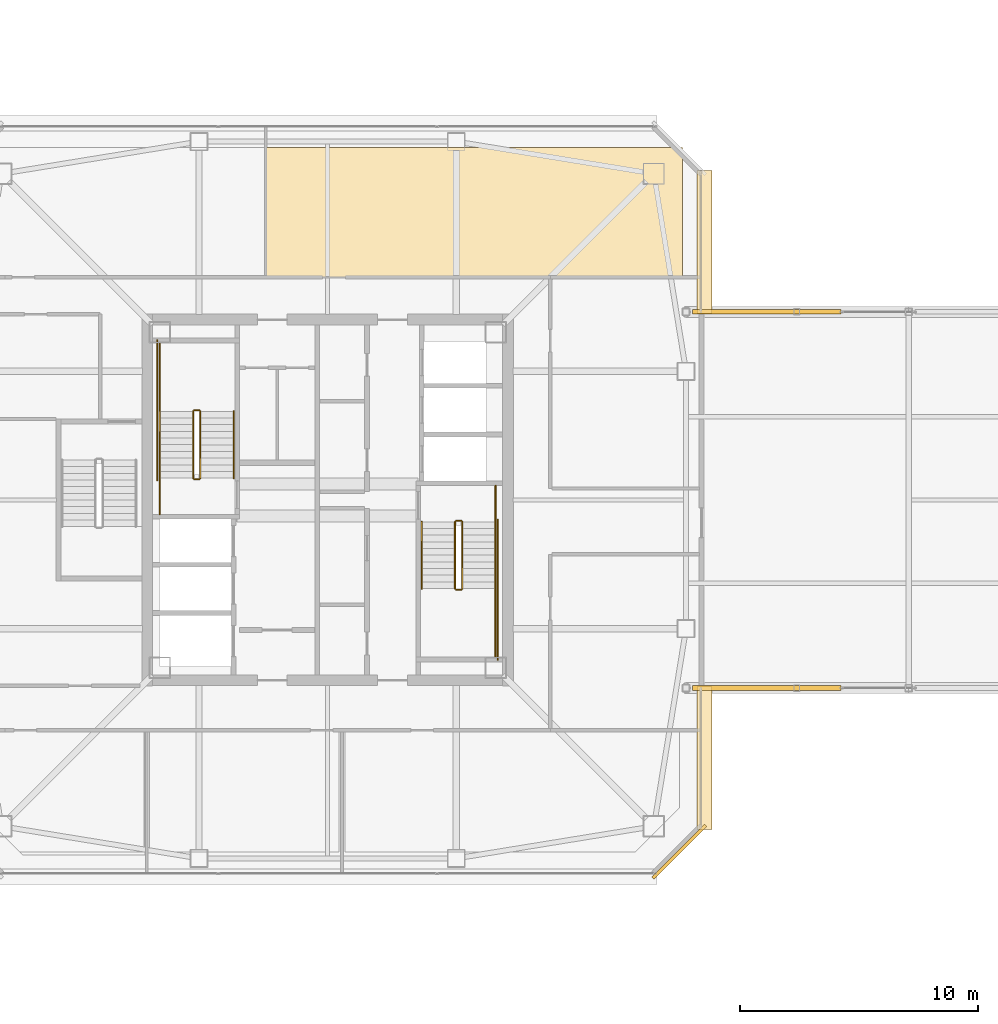
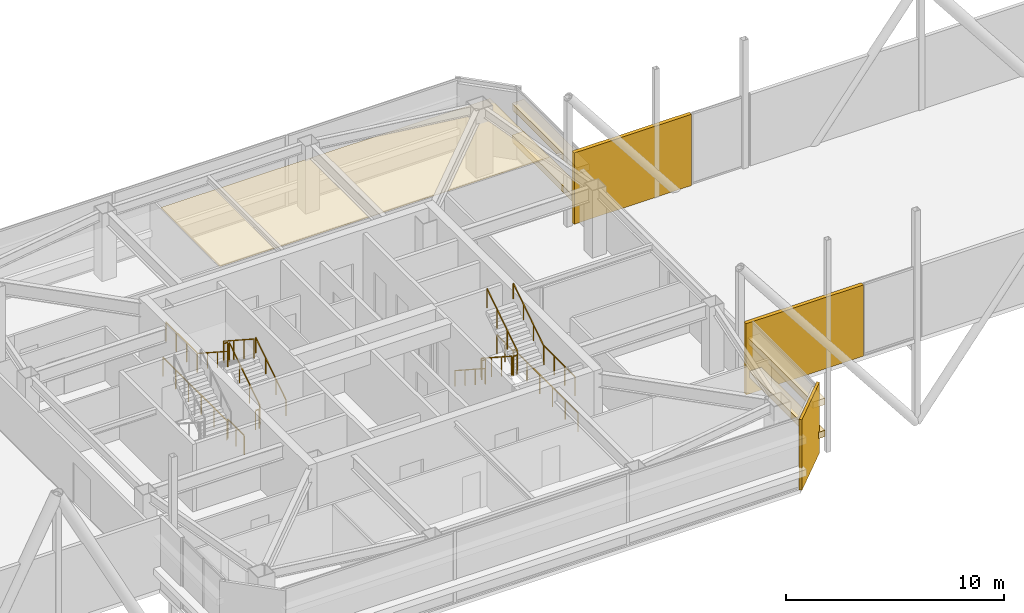
# One storey, part 49 of 53: 18 railings, 8 coverings.
"""IFC4 building model written with IfcOpenShell, lengths in metres."""

import ifcopenshell
import ifcopenshell.guid

model = None  # the IFC model being written
_history = None  # IfcOwnerHistory: only IFC2X3 demands one
_inside = {}  # id of a spatial element -> (the spatial element, [elements in it])
_under = {}  # id of a project, library or spatial element -> (it, [spatial elements below it])
_declared = {}  # id of a project -> (the project, [libraries it declares])
_typed = {}  # id of a type object -> (the type object, [elements of that type])
_made_of = {}  # id of a material, layer set ... -> (it, [elements and type objects made of it])


def new_model(schema):
    """Start an empty IFC model of exactly this schema.

    Asked for "IFC4X3", IfcOpenShell would pick the latest addendum, in which some entities
    have other attributes; the version numbers below select the first issue.
    IFC2X3 requires an IfcOwnerHistory on every rooted entity: one is made here for all.
    """
    global model, _history
    if schema == "IFC4X3":
        model = ifcopenshell.file(schema_version=(4, 3, 0, 0))
    else:
        model = ifcopenshell.file(schema=schema)
    _inside.clear()
    _under.clear()
    _declared.clear()
    _typed.clear()
    _made_of.clear()
    _history = None
    if model.schema == "IFC2X3":
        org = make("IfcOrganization", Name="unknown")
        user = make(
            "IfcPersonAndOrganization",
            ThePerson=make("IfcPerson", FamilyName="unknown"),
            TheOrganization=org,
        )
        app = make(
            "IfcApplication",
            ApplicationDeveloper=org,
            Version="unknown",
            ApplicationFullName="unknown",
            ApplicationIdentifier="unknown",
        )
        _history = make(
            "IfcOwnerHistory",
            OwningUser=user,
            OwningApplication=app,
            ChangeAction="ADDED",
            CreationDate=0,
        )
    return model


def make(cls, **values):
    """One entity of the class cls with the attributes given. An attribute that is None is left unset."""
    return model.create_entity(
        cls, **{name: value for name, value in values.items() if value is not None}
    )


def rooted(cls, **values):
    """An entity with a GlobalId (a new one), such as an element, a storey or a relation."""
    return make(cls, GlobalId=ifcopenshell.guid.new(), OwnerHistory=_history, **values)


def si_unit(unit_type, name, prefix=None):
    """IfcSIUnit, for example si_unit("LENGTHUNIT", "METRE", prefix="MILLI")."""
    return make("IfcSIUnit", UnitType=unit_type, Prefix=prefix, Name=name)


def assignment(units):
    """IfcUnitAssignment: the units of a project."""
    return None if units is None else make("IfcUnitAssignment", Units=units)


def point(xyz):
    """IfcCartesianPoint."""
    return None if xyz is None else make("IfcCartesianPoint", Coordinates=xyz)


def direction(xyz):
    """IfcDirection."""
    return None if xyz is None else make("IfcDirection", DirectionRatios=xyz)


def frame(location, z_axis=None, x_axis=None):
    """IfcAxis2Placement3D, a coordinate frame: its origin and axes. An axis left out is left unset."""
    return make(
        "IfcAxis2Placement3D",
        Location=point(location),
        Axis=direction(z_axis),
        RefDirection=direction(x_axis),
    )


def frame_2d(location, x_axis=None):
    """IfcAxis2Placement2D, a coordinate frame in the plane: its origin and x axis."""
    return make(
        "IfcAxis2Placement2D", Location=point(location), RefDirection=direction(x_axis)
    )


def origin():
    """The frame at (0, 0, 0) with its axes left unset."""
    return frame((0.0, 0.0, 0.0))


def origin_2d():
    """The frame at (0, 0) in the plane with its x axis left unset."""
    return frame_2d((0.0, 0.0))


def place(relative_to, where):
    """IfcLocalPlacement: puts the frame where relative to a parent placement (None: the world)."""
    return make(
        "IfcLocalPlacement", PlacementRelTo=relative_to, RelativePlacement=where
    )


def context(
    kind, dimensions, precision=None, world=None, true_north=None, identifier=None
):
    """IfcGeometricRepresentationContext, for example the 3D "Model" context."""
    return make(
        "IfcGeometricRepresentationContext",
        ContextIdentifier=identifier,
        ContextType=kind,
        CoordinateSpaceDimension=dimensions,
        Precision=precision,
        WorldCoordinateSystem=world,
        TrueNorth=true_north,
    )


def subcontext(parent, identifier, kind, view, scale=None):
    """IfcGeometricRepresentationSubContext, for example "Body" below "Model"."""
    return make(
        "IfcGeometricRepresentationSubContext",
        ContextIdentifier=identifier,
        ContextType=kind,
        ParentContext=parent,
        TargetScale=scale,
        TargetView=view,
    )


def project(units=None, contexts=None):
    """IfcProject with its units and contexts."""
    return rooted(
        "IfcProject",
        Name="project",
        RepresentationContexts=contexts,
        UnitsInContext=assignment(units),
    )


def spatial(cls, under=None, at=None, **own):
    """A site, building, storey or space (cls), placed at a placement, below another one or the project."""
    s = rooted(cls, ObjectPlacement=at, **own)
    if under is not None:
        _under.setdefault(under.id(), (under, []))[1].append(s)
    return s


def polyline(points):
    """IfcPolyline through the points."""
    return make("IfcPolyline", Points=[point(p) for p in points])


def profile(cls, at=None, kind="AREA", **sizes):
    """A parametric profile (cls). Its sizes go by their IFC names, for example OverallWidth=200.0."""
    return make(cls, ProfileType=kind, Position=at, **sizes)


def rectangle(**sizes):
    """IfcRectangleProfileDef."""
    return profile("IfcRectangleProfileDef", **sizes)


def outline(outer, holes=None, kind="AREA"):
    """IfcArbitraryClosedProfileDef: a profile drawn as a closed curve; with holes, ...WithVoids."""
    if holes is None:
        return make("IfcArbitraryClosedProfileDef", ProfileType=kind, OuterCurve=outer)
    return make(
        "IfcArbitraryProfileDefWithVoids",
        ProfileType=kind,
        OuterCurve=outer,
        InnerCurves=holes,
    )


def extrude(swept, where, along, depth):
    """IfcExtrudedAreaSolid: the profile swept, set in the frame where, extruded along a direction by depth."""
    return make(
        "IfcExtrudedAreaSolid",
        SweptArea=swept,
        Position=where,
        ExtrudedDirection=direction(along),
        Depth=depth,
    )


def shape(context_of_items, identifier, shape_type, items):
    """IfcShapeRepresentation: the items that make up one representation, for example the "Body"."""
    return make(
        "IfcShapeRepresentation",
        ContextOfItems=context_of_items,
        RepresentationIdentifier=identifier,
        RepresentationType=shape_type,
        Items=items,
    )


def material(Name=None, Category=None):
    """IfcMaterial."""
    return make("IfcMaterial", Name=Name, Category=Category)


def layer(
    of_material, thickness, ventilated=None, Name=None, Category=None, Priority=None
):
    """IfcMaterialLayer: one layer of a wall or slab, of a material (None: an air gap)."""
    return make(
        "IfcMaterialLayer",
        Material=of_material,
        LayerThickness=thickness,
        IsVentilated=ventilated,
        Name=Name,
        Category=Category,
        Priority=Priority,
    )


def layer_set(layers, Name=None):
    """IfcMaterialLayerSet."""
    return make("IfcMaterialLayerSet", MaterialLayers=layers, LayerSetName=Name)


def made_of(thing, what):
    """Note that an element or type object is made of a material, layer set ...; save() writes the relation."""
    if what is not None:
        _made_of.setdefault(what.id(), (what, []))[1].append(thing)
    return thing


def type_object(cls, material=None, **own):
    """A type object (cls), such as IfcWallType, which elements share."""
    return made_of(rooted(cls, **own), material)


def element(
    cls,
    number,
    at=None,
    inside=None,
    cuts=None,
    type_object=None,
    material=None,
    context=None,
    identifier="Body",
    shape_type=None,
    held_by="IfcProductDefinitionShape",
    body=None,
    shapes=None,
    **own,
):
    """One element of the class cls, such as IfcWall. Its Tag is "e" and its number.

    at: its placement. inside: the storey or other place that contains it. cuts: it is an
    opening in that element (IfcRelVoidsElement). A single representation is given by context,
    identifier, shape_type and body (its items); several are given by shapes. held_by: the class
    of the entity that holds the representations. save() writes the other relations.
    """
    e = rooted(cls, Tag="e%d" % number, ObjectPlacement=at, **own)
    if body is not None:
        shapes = [shape(context, identifier, shape_type, body)]
    if shapes is not None:
        e.Representation = make(held_by, Representations=shapes)
    if inside is not None:
        _inside.setdefault(inside.id(), (inside, []))[1].append(e)
    if cuts is not None:
        rooted(
            "IfcRelVoidsElement", RelatingBuildingElement=cuts, RelatedOpeningElement=e
        )
    if type_object is not None:
        _typed.setdefault(type_object.id(), (type_object, []))[1].append(e)
    return made_of(e, material)


def aggregate(whole, parts):
    """IfcRelAggregates: a whole, such as a stair, and the parts it consists of."""
    return rooted("IfcRelAggregates", RelatingObject=whole, RelatedObjects=parts)


def save(model, path):
    """Write the relations noted so far, then the file.

    IfcRelAggregates (storeys below a building ...), IfcRelContainedInSpatialStructure (elements
    in a storey), IfcRelDefinesByType, IfcRelAssociatesMaterial and IfcRelDeclares: one each for
    every whole, place, type object, material and project.
    """
    for whole, parts in _under.values():
        aggregate(whole, parts)
    for where, things in _inside.values():
        rooted(
            "IfcRelContainedInSpatialStructure",
            RelatedElements=things,
            RelatingStructure=where,
        )
    for kind, things in _typed.values():
        rooted("IfcRelDefinesByType", RelatedObjects=things, RelatingType=kind)
    for what, things in _made_of.values():
        rooted("IfcRelAssociatesMaterial", RelatedObjects=things, RelatingMaterial=what)
    for by, libraries in _declared.values():
        rooted("IfcRelDeclares", RelatingContext=by, RelatedDefinitions=libraries)
    model.write(path)


model = new_model("IFC4")

# Units and contexts
model_context = context("Model", 3, precision=1e-05, world=origin(), true_north=direction((0.0, 1.0)))
body_context = subcontext(model_context, "Body", "Model", "MODEL_VIEW")
ifc_project = project(units=[si_unit("LENGTHUNIT", "METRE"), si_unit("AREAUNIT", "SQUARE_METRE"), si_unit("VOLUMEUNIT", "CUBIC_METRE"), si_unit("PLANEANGLEUNIT", "RADIAN"), si_unit("MASSUNIT", "GRAM", prefix="KILO")], contexts=[model_context])

# Site, building, storey
site_placement = place(None, origin())
site = spatial("IfcSite", under=ifc_project, at=site_placement, CompositionType="ELEMENT")
building_placement = place(site_placement, origin())
building = spatial("IfcBuilding", under=site, at=building_placement, Name="Tashvorn Skyway Center", CompositionType="ELEMENT")
storey_placement = place(building_placement, frame((0.0, 0.0, 255.39990234375)))
storey = spatial("IfcBuildingStorey", under=building, at=storey_placement, Name="L69", CompositionType="ELEMENT", Elevation=255.39990234375)

# Coverings
ifc_material_1 = material(Name="Precast concrete C40/50", Category="concrete")
ifc_layer_1 = layer(ifc_material_1, 0.199951171875)
ifc_layer_set_1 = layer_set([ifc_layer_1], Name="Precast concrete C40/50")
covering_type_1 = type_object("IfcCoveringType", Name="COV-BRACE-CLAD", PredefinedType="CLADDING", material=ifc_layer_set_1)
for number, where, z_axis, x_axis, name in (
    (1, (60.43505859375, 24.10009765625, 0.0), (0.0, 0.0, 1.0), (-1.0, 0.0, 0.0), "Sky-Park L69 Bridge South Curtain Wall Mega-Brace Cladding Band 3"),
    (2, (60.43505859375, 39.89990234375, 0.0), (0.0, 0.0, 1.0), (1.0, 0.0, 0.0), "Sky-Park L69 Bridge North Curtain Wall Mega-Brace Cladding Band 1"),
):
    element("IfcCovering", number, at=place(storey_placement, frame(where, z_axis=z_axis, x_axis=x_axis)), inside=storey, type_object=covering_type_1, Name=name, PredefinedType="CLADDING", context=body_context, shape_type="SweptSolid", body=[
        extrude(rectangle(XDim=6.22998046875, YDim=0.199951171875, at=origin_2d()), origin(), (0.0, 0.0, 1.0), 4.0),
    ])
ifc_material_2 = material(Name="Mineral-fibre acoustic ceiling tile on suspended grid")
ifc_layer_2 = layer(ifc_material_2, 0.02001953125)
ifc_layer_set_2 = layer_set([ifc_layer_2], Name="Mineral-fibre acoustic ceiling tile on suspended grid")
covering_type_2 = type_object("IfcCoveringType", Name="COV-CEIL-20", PredefinedType="CEILING", material=ifc_layer_set_2)
covering_1_placement = place(storey_placement, frame((0.0, 0.0, 2.951171875)))
element("IfcCovering", 3, at=covering_1_placement, inside=storey, type_object=covering_type_2, Name="Tower 1 L69 Open Plan Office Acoustic Ceiling", PredefinedType="CEILING", context=body_context, shape_type="SweptSolid", body=[
    extrude(outline(polyline([(39.39990234375, 41.35009765625), (56.89990234375, 41.35009765625), (56.89990234375, 46.800048828125), (39.39990234375, 46.800048828125), (39.39990234375, 41.35009765625)])), origin(), (0.0, 0.0, 1.0), 0.02001953125),
])
ifc_material_3 = material(Name="Perforated ceramic-coated bronze aluminium solar screen", Category="aluminium")
ifc_layer_3 = layer(ifc_material_3, 0.85009765625)
ifc_layer_set_3 = layer_set([ifc_layer_3], Name="Perforated ceramic-coated bronze aluminium solar screen")
covering_type_3 = type_object("IfcCoveringType", Name="COV-SOLAR-BAND", PredefinedType="CLADDING", material=ifc_layer_set_3)
for number, where, z_axis, x_axis, name in (
    (4, (57.820068359375, 42.840087890625, 0.919921875), (0.0, 0.0, 1.0), (0.0, -1.0, 0.0), "L69 Perforated Ceramic-Metal Solar Screen Louvre Band East 1"),
    (5, (57.820068359375, 42.840087890625, 2.72021484375), (0.0, 0.0, 1.0), (0.0, -1.0, 0.0), "L69 Perforated Ceramic-Metal Solar Screen Louvre Band East 2"),
    (6, (57.820068359375, 21.159912109375, 0.919921875), (0.0, 0.0, 1.0), (0.0, -1.0, 0.0), "L69 Perforated Ceramic-Metal Solar Screen Louvre Band East 1"),
    (7, (57.820068359375, 21.159912109375, 2.72021484375), (0.0, 0.0, 1.0), (0.0, -1.0, 0.0), "L69 Perforated Ceramic-Metal Solar Screen Louvre Band East 2"),
):
    element("IfcCovering", number, at=place(storey_placement, frame(where, z_axis=z_axis, x_axis=x_axis)), inside=storey, type_object=covering_type_3, Name=name, PredefinedType="CLADDING", context=body_context, shape_type="SweptSolid", body=[
        extrude(rectangle(XDim=6.0, YDim=0.639892578125, at=origin_2d()), origin(), (0.0, 0.0, 1.0), 0.360107421875),
    ])
ifc_layer_4 = layer(ifc_material_1, 0.35009765625)
ifc_layer_set_4 = layer_set([ifc_layer_4], Name="Precast concrete C40/50")
covering_type_4 = type_object("IfcCoveringType", Name="COV-STONE-TRIM", PredefinedType="CLADDING", material=ifc_layer_set_4)
covering_2_placement = place(storey_placement, frame((56.77001953125, 17.22998046875, 0.02001953125), z_axis=(0.0, 0.0, 1.0), x_axis=(0.707106781187, 0.707106781187, 0.0)))
element("IfcCovering", 8, at=covering_2_placement, inside=storey, type_object=covering_type_4, Name="Tower 1 L69 SE Mojave Limestone Corner Quoin", PredefinedType="CLADDING", context=body_context, shape_type="SweptSolid", body=[
    extrude(rectangle(XDim=3.1298828125, YDim=0.139892578125, at=origin_2d()), origin(), (0.0, 0.0, 1.0), 3.9599609375),
])

# Railings
ifc_material_4 = material(Name="Brushed stainless steel 316", Category="steel")
railing_type_1 = type_object("IfcRailingType", Name="RAIL-HAND-920", PredefinedType="HANDRAIL", material=ifc_material_4)
railing_1_placement = place(storey_placement, frame((38.050048828125, 32.919921875, 0.181884765625)))
element("IfcRailing", 9, at=railing_1_placement, inside=storey, type_object=railing_type_1, Name="L69 ST-T1-1 stair handrail 1", PredefinedType="HANDRAIL", context=body_context, shape_type="SweptSolid", body=[
    extrude(rectangle(XDim=0.048095703125, YDim=0.048095703125, at=origin_2d()), frame((0.0, 0.0, 0.8759765625), z_axis=(0.0, 0.838705829183, 0.544584733623), x_axis=(-1.0, 0.0, 0.0)), (0.0, 0.0, 1.0), 3.338623046875),
    extrude(rectangle(XDim=0.0419921875, YDim=0.0419921875, at=origin_2d()), origin(), (0.0, 0.0, 1.0), 0.851806640625),
    extrude(rectangle(XDim=0.0419921875, YDim=0.0419921875, at=origin_2d()), frame((0.0, 0.933349609375, 0.60595703125)), (0.0, 0.0, 1.0), 0.851806640625),
    extrude(rectangle(XDim=0.0419921875, YDim=0.0419921875, at=origin_2d()), frame((0.0, 1.86669921875, 1.212158203125)), (0.0, 0.0, 1.0), 0.851806640625),
    extrude(rectangle(XDim=0.0419921875, YDim=0.0419921875, at=origin_2d()), frame((0.0, 2.800048828125, 1.818115234375)), (0.0, 0.0, 1.0), 0.851806640625),
])
for number, where, name in (
    (10, (34.949951171875, 35.719970703125, 2.181884765625), "L69 ST-T1-1 stair handrail 2"),
    (11, (45.949951171875, 31.080078125, 0.181884765625), "L69 ST-T1-2 stair handrail 1"),
):
    element("IfcRailing", number, at=place(storey_placement, frame(where)), inside=storey, type_object=railing_type_1, Name=name, PredefinedType="HANDRAIL", context=body_context, shape_type="SweptSolid", body=[
        extrude(rectangle(XDim=0.048095703125, YDim=0.048095703125, at=origin_2d()), frame((0.0, 0.0, 0.8759765625), z_axis=(0.0, -0.838705829183, 0.544584733623), x_axis=(1.0, 0.0, 0.0)), (0.0, 0.0, 1.0), 3.338623046875),
        extrude(rectangle(XDim=0.0419921875, YDim=0.0419921875, at=origin_2d()), origin(), (0.0, 0.0, 1.0), 0.851806640625),
        extrude(rectangle(XDim=0.0419921875, YDim=0.0419921875, at=origin_2d()), frame((0.0, -0.933349609375, 0.60595703125)), (0.0, 0.0, 1.0), 0.851806640625),
        extrude(rectangle(XDim=0.0419921875, YDim=0.0419921875, at=origin_2d()), frame((0.0, -1.86669921875, 1.212158203125)), (0.0, 0.0, 1.0), 0.851806640625),
        extrude(rectangle(XDim=0.0419921875, YDim=0.0419921875, at=origin_2d()), frame((0.0, -2.800048828125, 1.818115234375)), (0.0, 0.0, 1.0), 0.851806640625),
    ])
railing_2_placement = place(storey_placement, frame((49.050048828125, 28.280029296875, 2.181884765625)))
element("IfcRailing", 12, at=railing_2_placement, inside=storey, type_object=railing_type_1, Name="L69 ST-T1-2 stair handrail 2", PredefinedType="HANDRAIL", context=body_context, shape_type="SweptSolid", body=[
    extrude(rectangle(XDim=0.048095703125, YDim=0.048095703125, at=origin_2d()), frame((0.0, 0.0, 0.8759765625), z_axis=(0.0, 0.838705829183, 0.544584733623), x_axis=(-1.0, 0.0, 0.0)), (0.0, 0.0, 1.0), 3.338623046875),
    extrude(rectangle(XDim=0.0419921875, YDim=0.0419921875, at=origin_2d()), origin(), (0.0, 0.0, 1.0), 0.851806640625),
    extrude(rectangle(XDim=0.0419921875, YDim=0.0419921875, at=origin_2d()), frame((0.0, 0.933349609375, 0.60595703125)), (0.0, 0.0, 1.0), 0.851806640625),
    extrude(rectangle(XDim=0.0419921875, YDim=0.0419921875, at=origin_2d()), frame((0.0, 1.86669921875, 1.212158203125)), (0.0, 0.0, 1.0), 0.851806640625),
    extrude(rectangle(XDim=0.0419921875, YDim=0.0419921875, at=origin_2d()), frame((0.0, 2.800048828125, 1.818115234375)), (0.0, 0.0, 1.0), 0.851806640625),
])
ifc_material_5 = material(Name="Painted galvanized steel S355", Category="steel")
railing_type_2 = type_object("IfcRailingType", Name="RAIL-STGUARD-1100", PredefinedType="GUARDRAIL", material=ifc_material_5)
railing_3_placement = place(storey_placement, frame((36.64990234375, 32.919921875, 0.181884765625)))
element("IfcRailing", 13, at=railing_3_placement, inside=storey, type_object=railing_type_2, Name="L69 ST-T1-1 stair guard 1", PredefinedType="GUARDRAIL", context=body_context, shape_type="SweptSolid", body=[
    extrude(rectangle(XDim=0.048095703125, YDim=0.048095703125, at=origin_2d()), frame((0.0, 0.0, 1.076171875), z_axis=(0.0, 0.838705829183, 0.544584733623), x_axis=(-1.0, 0.0, 0.0)), (0.0, 0.0, 1.0), 3.338623046875),
    extrude(rectangle(XDim=0.0419921875, YDim=0.0419921875, at=origin_2d()), origin(), (0.0, 0.0, 1.0), 1.052001953125),
    extrude(rectangle(XDim=0.0419921875, YDim=0.0419921875, at=origin_2d()), frame((0.0, 0.933349609375, 0.60595703125)), (0.0, 0.0, 1.0), 1.052001953125),
    extrude(rectangle(XDim=0.0419921875, YDim=0.0419921875, at=origin_2d()), frame((0.0, 1.86669921875, 1.212158203125)), (0.0, 0.0, 1.0), 1.052001953125),
    extrude(rectangle(XDim=0.0419921875, YDim=0.0419921875, at=origin_2d()), frame((0.0, 2.800048828125, 1.818115234375)), (0.0, 0.0, 1.0), 1.052001953125),
])
railing_4_placement = place(storey_placement, frame((36.60009765625, 35.77001953125, 2.0)))
element("IfcRailing", 14, at=railing_4_placement, inside=storey, type_object=railing_type_2, Name="L69 ST-T1-1 stair guard 2", PredefinedType="GUARDRAIL", context=body_context, shape_type="SweptSolid", body=[
    extrude(rectangle(XDim=0.048095703125, YDim=0.048095703125, at=origin_2d()), frame((0.0, 0.0, 1.076171875), z_axis=(-1.0, 0.0, 0.0), x_axis=(0.0, -1.0, 0.0)), (0.0, 0.0, 1.0), 0.2001953125),
    extrude(rectangle(XDim=0.0419921875, YDim=0.0419921875, at=origin_2d()), origin(), (0.0, 0.0, 1.0), 1.052001953125),
    extrude(rectangle(XDim=0.0419921875, YDim=0.0419921875, at=origin_2d()), frame((-0.2001953125, 0.0, 0.0)), (0.0, 0.0, 1.0), 1.052001953125),
])
railing_5_placement = place(storey_placement, frame((34.949951171875, 35.719970703125, 2.0)))
element("IfcRailing", 15, at=railing_5_placement, inside=storey, type_object=railing_type_2, Name="L69 ST-T1-1 stair guard 3", PredefinedType="GUARDRAIL", context=body_context, shape_type="SweptSolid", body=[
    extrude(rectangle(XDim=0.048095703125, YDim=0.048095703125, at=origin_2d()), frame((0.0, 0.0, 1.076171875), z_axis=(0.0, 1.0, 0.0), x_axis=(-1.0, 0.0, 0.0)), (0.0, 0.0, 1.0), 2.880126953125),
    extrude(rectangle(XDim=0.0419921875, YDim=0.0419921875, at=origin_2d()), origin(), (0.0, 0.0, 1.0), 1.052001953125),
    extrude(rectangle(XDim=0.0419921875, YDim=0.0419921875, at=origin_2d()), frame((0.0, 0.9599609375, 0.0)), (0.0, 0.0, 1.0), 1.052001953125),
    extrude(rectangle(XDim=0.0419921875, YDim=0.0419921875, at=origin_2d()), frame((0.0, 1.920166015625, 0.0)), (0.0, 0.0, 1.0), 1.052001953125),
    extrude(rectangle(XDim=0.0419921875, YDim=0.0419921875, at=origin_2d()), frame((0.0, 2.880126953125, 0.0)), (0.0, 0.0, 1.0), 1.052001953125),
])
railing_6_placement = place(storey_placement, frame((36.35009765625, 35.719970703125, 2.181884765625)))
element("IfcRailing", 16, at=railing_6_placement, inside=storey, type_object=railing_type_2, Name="L69 ST-T1-1 stair guard 4", PredefinedType="GUARDRAIL", context=body_context, shape_type="SweptSolid", body=[
    extrude(rectangle(XDim=0.048095703125, YDim=0.048095703125, at=origin_2d()), frame((0.0, 0.0, 1.076171875), z_axis=(0.0, -0.838705829183, 0.544584733623), x_axis=(1.0, 0.0, 0.0)), (0.0, 0.0, 1.0), 3.338623046875),
    extrude(rectangle(XDim=0.0419921875, YDim=0.0419921875, at=origin_2d()), origin(), (0.0, 0.0, 1.0), 1.052001953125),
    extrude(rectangle(XDim=0.0419921875, YDim=0.0419921875, at=origin_2d()), frame((0.0, -0.933349609375, 0.60595703125)), (0.0, 0.0, 1.0), 1.052001953125),
    extrude(rectangle(XDim=0.0419921875, YDim=0.0419921875, at=origin_2d()), frame((0.0, -1.86669921875, 1.212158203125)), (0.0, 0.0, 1.0), 1.052001953125),
    extrude(rectangle(XDim=0.0419921875, YDim=0.0419921875, at=origin_2d()), frame((0.0, -2.800048828125, 1.818115234375)), (0.0, 0.0, 1.0), 1.052001953125),
])
railing_7_placement = place(storey_placement, frame((36.60009765625, 32.8701171875, 0.0)))
element("IfcRailing", 17, at=railing_7_placement, inside=storey, type_object=railing_type_2, Name="L69 ST-T1-1 stair guard 5", PredefinedType="GUARDRAIL", context=body_context, shape_type="SweptSolid", body=[
    extrude(rectangle(XDim=0.048095703125, YDim=0.048095703125, at=origin_2d()), frame((0.0, 0.0, 1.076171875), z_axis=(-1.0, 0.0, 0.0), x_axis=(0.0, -1.0, 0.0)), (0.0, 0.0, 1.0), 0.2001953125),
    extrude(rectangle(XDim=0.0419921875, YDim=0.0419921875, at=origin_2d()), origin(), (0.0, 0.0, 1.0), 1.052001953125),
    extrude(rectangle(XDim=0.0419921875, YDim=0.0419921875, at=origin_2d()), frame((-0.2001953125, 0.0, 0.0)), (0.0, 0.0, 1.0), 1.052001953125),
])
railing_8_placement = place(storey_placement, frame((34.949951171875, 31.39990234375, 0.0)))
element("IfcRailing", 18, at=railing_8_placement, inside=storey, type_object=railing_type_2, Name="L69 ST-T1-1 stair guard 6", PredefinedType="GUARDRAIL", context=body_context, shape_type="SweptSolid", body=[
    extrude(rectangle(XDim=0.048095703125, YDim=0.048095703125, at=origin_2d()), frame((0.0, 0.0, 1.076171875), z_axis=(0.0, 1.0, 0.0), x_axis=(-1.0, 0.0, 0.0)), (0.0, 0.0, 1.0), 1.52001953125),
    extrude(rectangle(XDim=0.0419921875, YDim=0.0419921875, at=origin_2d()), origin(), (0.0, 0.0, 1.0), 1.052001953125),
    extrude(rectangle(XDim=0.0419921875, YDim=0.0419921875, at=origin_2d()), frame((0.0, 0.760009765625, 0.0)), (0.0, 0.0, 1.0), 1.052001953125),
    extrude(rectangle(XDim=0.0419921875, YDim=0.0419921875, at=origin_2d()), frame((0.0, 1.52001953125, 0.0)), (0.0, 0.0, 1.0), 1.052001953125),
])
railing_9_placement = place(storey_placement, frame((34.85009765625, 32.820068359375, 0.0)))
element("IfcRailing", 19, at=railing_9_placement, inside=storey, type_object=railing_type_2, Name="L69 ST-T1-1 stair guard 7", PredefinedType="GUARDRAIL", context=body_context, shape_type="SweptSolid", body=[
    extrude(rectangle(XDim=0.048095703125, YDim=0.048095703125, at=origin_2d()), frame((0.0, 0.0, 1.076171875), z_axis=(0.0, 1.0, 0.0), x_axis=(-1.0, 0.0, 0.0)), (0.0, 0.0, 1.0), 5.8798828125),
    extrude(rectangle(XDim=0.0419921875, YDim=0.0419921875, at=origin_2d()), origin(), (0.0, 0.0, 1.0), 1.052001953125),
    extrude(rectangle(XDim=0.0419921875, YDim=0.0419921875, at=origin_2d()), frame((0.0, 1.176025390625, 0.0)), (0.0, 0.0, 1.0), 1.052001953125),
    extrude(rectangle(XDim=0.0419921875, YDim=0.0419921875, at=origin_2d()), frame((0.0, 2.35205078125, 0.0)), (0.0, 0.0, 1.0), 1.052001953125),
    extrude(rectangle(XDim=0.0419921875, YDim=0.0419921875, at=origin_2d()), frame((0.0, 3.52783203125, 0.0)), (0.0, 0.0, 1.0), 1.052001953125),
    extrude(rectangle(XDim=0.0419921875, YDim=0.0419921875, at=origin_2d()), frame((0.0, 4.703857421875, 0.0)), (0.0, 0.0, 1.0), 1.052001953125),
    extrude(rectangle(XDim=0.0419921875, YDim=0.0419921875, at=origin_2d()), frame((0.0, 5.8798828125, 0.0)), (0.0, 0.0, 1.0), 1.052001953125),
])
railing_10_placement = place(storey_placement, frame((47.35009765625, 31.080078125, 0.181884765625)))
element("IfcRailing", 20, at=railing_10_placement, inside=storey, type_object=railing_type_2, Name="L69 ST-T1-2 stair guard 1", PredefinedType="GUARDRAIL", context=body_context, shape_type="SweptSolid", body=[
    extrude(rectangle(XDim=0.048095703125, YDim=0.048095703125, at=origin_2d()), frame((0.0, 0.0, 1.076171875), z_axis=(0.0, -0.838705829183, 0.544584733623), x_axis=(1.0, 0.0, 0.0)), (0.0, 0.0, 1.0), 3.338623046875),
    extrude(rectangle(XDim=0.0419921875, YDim=0.0419921875, at=origin_2d()), origin(), (0.0, 0.0, 1.0), 1.052001953125),
    extrude(rectangle(XDim=0.0419921875, YDim=0.0419921875, at=origin_2d()), frame((0.0, -0.933349609375, 0.60595703125)), (0.0, 0.0, 1.0), 1.052001953125),
    extrude(rectangle(XDim=0.0419921875, YDim=0.0419921875, at=origin_2d()), frame((0.0, -1.86669921875, 1.212158203125)), (0.0, 0.0, 1.0), 1.052001953125),
    extrude(rectangle(XDim=0.0419921875, YDim=0.0419921875, at=origin_2d()), frame((0.0, -2.800048828125, 1.818115234375)), (0.0, 0.0, 1.0), 1.052001953125),
])
railing_11_placement = place(storey_placement, frame((47.39990234375, 28.22998046875, 2.0)))
element("IfcRailing", 21, at=railing_11_placement, inside=storey, type_object=railing_type_2, Name="L69 ST-T1-2 stair guard 2", PredefinedType="GUARDRAIL", context=body_context, shape_type="SweptSolid", body=[
    extrude(rectangle(XDim=0.048095703125, YDim=0.048095703125, at=origin_2d()), frame((0.0, 0.0, 1.076171875), z_axis=(1.0, 0.0, 0.0), x_axis=(0.0, 1.0, 0.0)), (0.0, 0.0, 1.0), 0.2001953125),
    extrude(rectangle(XDim=0.0419921875, YDim=0.0419921875, at=origin_2d()), origin(), (0.0, 0.0, 1.0), 1.052001953125),
    extrude(rectangle(XDim=0.0419921875, YDim=0.0419921875, at=origin_2d()), frame((0.2001953125, 0.0, 0.0)), (0.0, 0.0, 1.0), 1.052001953125),
])
railing_12_placement = place(storey_placement, frame((49.050048828125, 28.280029296875, 2.0)))
element("IfcRailing", 22, at=railing_12_placement, inside=storey, type_object=railing_type_2, Name="L69 ST-T1-2 stair guard 3", PredefinedType="GUARDRAIL", context=body_context, shape_type="SweptSolid", body=[
    extrude(rectangle(XDim=0.048095703125, YDim=0.048095703125, at=origin_2d()), frame((0.0, 0.0, 1.076171875), z_axis=(0.0, -1.0, 0.0), x_axis=(1.0, 0.0, 0.0)), (0.0, 0.0, 1.0), 2.880126953125),
    extrude(rectangle(XDim=0.0419921875, YDim=0.0419921875, at=origin_2d()), origin(), (0.0, 0.0, 1.0), 1.052001953125),
    extrude(rectangle(XDim=0.0419921875, YDim=0.0419921875, at=origin_2d()), frame((0.0, -0.9599609375, 0.0)), (0.0, 0.0, 1.0), 1.052001953125),
    extrude(rectangle(XDim=0.0419921875, YDim=0.0419921875, at=origin_2d()), frame((0.0, -1.920166015625, 0.0)), (0.0, 0.0, 1.0), 1.052001953125),
    extrude(rectangle(XDim=0.0419921875, YDim=0.0419921875, at=origin_2d()), frame((0.0, -2.880126953125, 0.0)), (0.0, 0.0, 1.0), 1.052001953125),
])
railing_13_placement = place(storey_placement, frame((47.64990234375, 28.280029296875, 2.181884765625)))
element("IfcRailing", 23, at=railing_13_placement, inside=storey, type_object=railing_type_2, Name="L69 ST-T1-2 stair guard 4", PredefinedType="GUARDRAIL", context=body_context, shape_type="SweptSolid", body=[
    extrude(rectangle(XDim=0.048095703125, YDim=0.048095703125, at=origin_2d()), frame((0.0, 0.0, 1.076171875), z_axis=(0.0, 0.838705829183, 0.544584733623), x_axis=(-1.0, 0.0, 0.0)), (0.0, 0.0, 1.0), 3.338623046875),
    extrude(rectangle(XDim=0.0419921875, YDim=0.0419921875, at=origin_2d()), origin(), (0.0, 0.0, 1.0), 1.052001953125),
    extrude(rectangle(XDim=0.0419921875, YDim=0.0419921875, at=origin_2d()), frame((0.0, 0.933349609375, 0.60595703125)), (0.0, 0.0, 1.0), 1.052001953125),
    extrude(rectangle(XDim=0.0419921875, YDim=0.0419921875, at=origin_2d()), frame((0.0, 1.86669921875, 1.212158203125)), (0.0, 0.0, 1.0), 1.052001953125),
    extrude(rectangle(XDim=0.0419921875, YDim=0.0419921875, at=origin_2d()), frame((0.0, 2.800048828125, 1.818115234375)), (0.0, 0.0, 1.0), 1.052001953125),
])
railing_14_placement = place(storey_placement, frame((47.39990234375, 31.1298828125, 0.0)))
element("IfcRailing", 24, at=railing_14_placement, inside=storey, type_object=railing_type_2, Name="L69 ST-T1-2 stair guard 5", PredefinedType="GUARDRAIL", context=body_context, shape_type="SweptSolid", body=[
    extrude(rectangle(XDim=0.048095703125, YDim=0.048095703125, at=origin_2d()), frame((0.0, 0.0, 1.076171875), z_axis=(1.0, 0.0, 0.0), x_axis=(0.0, 1.0, 0.0)), (0.0, 0.0, 1.0), 0.2001953125),
    extrude(rectangle(XDim=0.0419921875, YDim=0.0419921875, at=origin_2d()), origin(), (0.0, 0.0, 1.0), 1.052001953125),
    extrude(rectangle(XDim=0.0419921875, YDim=0.0419921875, at=origin_2d()), frame((0.2001953125, 0.0, 0.0)), (0.0, 0.0, 1.0), 1.052001953125),
])
railing_15_placement = place(storey_placement, frame((49.050048828125, 32.60009765625, 0.0)))
element("IfcRailing", 25, at=railing_15_placement, inside=storey, type_object=railing_type_2, Name="L69 ST-T1-2 stair guard 6", PredefinedType="GUARDRAIL", context=body_context, shape_type="SweptSolid", body=[
    extrude(rectangle(XDim=0.048095703125, YDim=0.048095703125, at=origin_2d()), frame((0.0, 0.0, 1.076171875), z_axis=(0.0, -1.0, 0.0), x_axis=(1.0, 0.0, 0.0)), (0.0, 0.0, 1.0), 1.52001953125),
    extrude(rectangle(XDim=0.0419921875, YDim=0.0419921875, at=origin_2d()), origin(), (0.0, 0.0, 1.0), 1.052001953125),
    extrude(rectangle(XDim=0.0419921875, YDim=0.0419921875, at=origin_2d()), frame((0.0, -0.760009765625, 0.0)), (0.0, 0.0, 1.0), 1.052001953125),
    extrude(rectangle(XDim=0.0419921875, YDim=0.0419921875, at=origin_2d()), frame((0.0, -1.52001953125, 0.0)), (0.0, 0.0, 1.0), 1.052001953125),
])
railing_16_placement = place(storey_placement, frame((49.14990234375, 31.179931640625, 0.0)))
element("IfcRailing", 26, at=railing_16_placement, inside=storey, type_object=railing_type_2, Name="L69 ST-T1-2 stair guard 7", PredefinedType="GUARDRAIL", context=body_context, shape_type="SweptSolid", body=[
    extrude(rectangle(XDim=0.048095703125, YDim=0.048095703125, at=origin_2d()), frame((0.0, 0.0, 1.076171875), z_axis=(0.0, -1.0, 0.0), x_axis=(1.0, 0.0, 0.0)), (0.0, 0.0, 1.0), 5.8798828125),
    extrude(rectangle(XDim=0.0419921875, YDim=0.0419921875, at=origin_2d()), origin(), (0.0, 0.0, 1.0), 1.052001953125),
    extrude(rectangle(XDim=0.0419921875, YDim=0.0419921875, at=origin_2d()), frame((0.0, -1.176025390625, 0.0)), (0.0, 0.0, 1.0), 1.052001953125),
    extrude(rectangle(XDim=0.0419921875, YDim=0.0419921875, at=origin_2d()), frame((0.0, -2.35205078125, 0.0)), (0.0, 0.0, 1.0), 1.052001953125),
    extrude(rectangle(XDim=0.0419921875, YDim=0.0419921875, at=origin_2d()), frame((0.0, -3.52783203125, 0.0)), (0.0, 0.0, 1.0), 1.052001953125),
    extrude(rectangle(XDim=0.0419921875, YDim=0.0419921875, at=origin_2d()), frame((0.0, -4.703857421875, 0.0)), (0.0, 0.0, 1.0), 1.052001953125),
    extrude(rectangle(XDim=0.0419921875, YDim=0.0419921875, at=origin_2d()), frame((0.0, -5.8798828125, 0.0)), (0.0, 0.0, 1.0), 1.052001953125),
])

save(model, "model.ifc")
